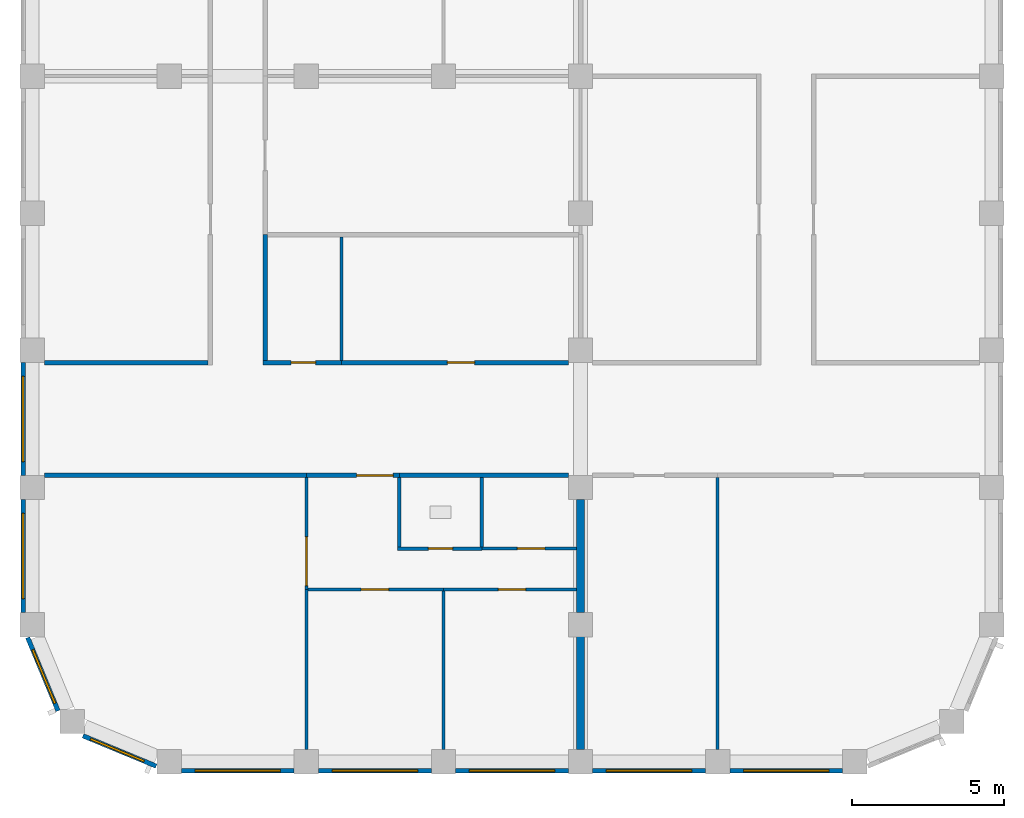
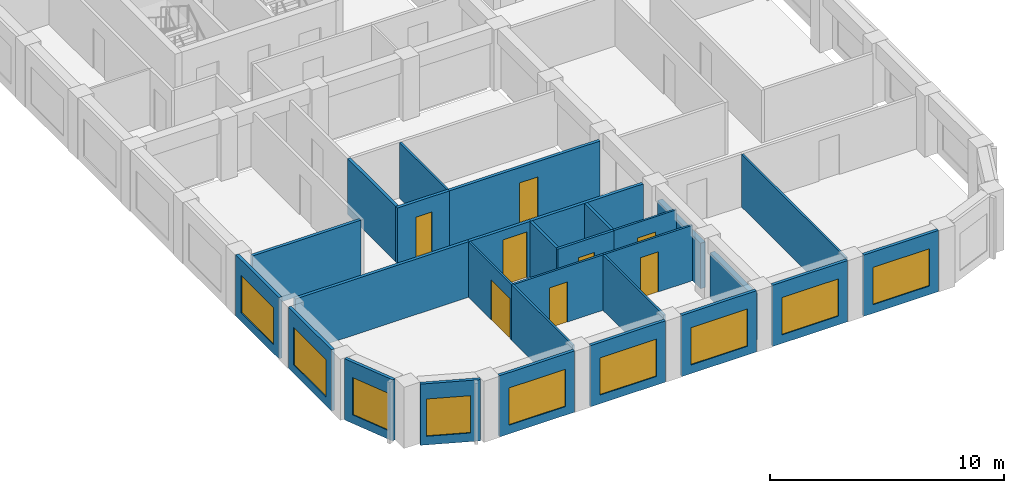
# One storey, part 2 of 9: 29 walls, 9 windows, 8 doors, 17 openings.
"""IFC4 building model written with IfcOpenShell, lengths in metres."""

from ifc_helpers import new_model, si_unit, direction, frame, frame_2d, origin, place, context, subcontext, project, spatial, rectangle, extrude, material, layer, layer_set, type_object, element, fill, save


model = new_model("IFC4")

# Units and contexts
model_context = context("Model", 3, precision=1e-05, world=origin(), true_north=direction((0.0, 1.0)))
body_context = subcontext(model_context, "Body", "Model", "MODEL_VIEW")
ifc_project = project(units=[si_unit("LENGTHUNIT", "METRE"), si_unit("AREAUNIT", "SQUARE_METRE"), si_unit("VOLUMEUNIT", "CUBIC_METRE"), si_unit("PLANEANGLEUNIT", "RADIAN"), si_unit("MASSUNIT", "GRAM", prefix="KILO")], contexts=[model_context])

# Site, building, storey
site_placement = place(None, origin())
site = spatial("IfcSite", under=ifc_project, at=site_placement, CompositionType="ELEMENT")
building_placement = place(site_placement, origin())
building = spatial("IfcBuilding", under=site, at=building_placement, Name="Girih Gate Residences", CompositionType="ELEMENT")
storey_placement = place(building_placement, frame((0.0, 0.0, 185.89990234375)))
storey = spatial("IfcBuildingStorey", under=building, at=storey_placement, Name="L51", CompositionType="ELEMENT", Elevation=185.89990234375)

# Walls
ifc_material_1 = material(Name="Gypsum board on steel studs", Category="steel")
ifc_layer_1 = layer(ifc_material_1, 0.25)
ifc_layer_set_1 = layer_set([ifc_layer_1], Name="Acoustic separating wall 250 mm")
wall_type_1 = type_object("IfcWallType", Name="Acoustic separating wall 250 mm", PredefinedType="PARTITIONING", material=ifc_layer_set_1)
for number, where, z_axis, x_axis, name in (
    (1, (18.0, 4.89990234375, 0.0), (0.0, 0.0, 1.0), (0.0, 1.0, 0.0), "L51 partition"),
    (2, (18.0, 0.39990234375, 0.0), (0.0, 0.0, 1.0), (0.0, 1.0, 0.0), "L51 partition"),
):
    element("IfcWall", number, at=place(storey_placement, frame(where, z_axis=z_axis, x_axis=x_axis)), inside=storey, type_object=wall_type_1, Name=name, PredefinedType="PARTITIONING", context=body_context, shape_type="SweptSolid", body=[
        extrude(rectangle(XDim=3.7001953125, YDim=0.25, at=frame_2d((1.85009765625, 0.0))), origin(), (0.0, 0.0, 1.0), 2.380126953125),
    ])
ifc_layer_2 = layer(ifc_material_1, 0.14990234375)
ifc_layer_set_2 = layer_set([ifc_layer_2], Name="Compartment wall 150 mm")
wall_type_2 = type_object("IfcWallType", Name="Compartment wall 150 mm", PredefinedType="PARTITIONING", material=ifc_layer_set_2)
wall_1_placement = place(storey_placement, frame((12.050048828125, 9.39990234375, 0.0), z_axis=(0.0, 0.0, 1.0), x_axis=(1.0, 0.0, 0.0)))
element("IfcWall", 3, at=wall_1_placement, inside=storey, type_object=wall_type_2, Name="L51 partition", PredefinedType="PARTITIONING", context=body_context, shape_type="SweptSolid", body=[
    extrude(rectangle(XDim=5.550048828125, YDim=0.14990234375, at=frame_2d((2.77490234375, 0.0))), origin(), (0.0, 0.0, 1.0), 2.900146484375),
])

# Wall, opening, door
wall_2_placement = place(storey_placement, frame((12.050048828125, 9.39990234375, 0.0), z_axis=(0.0, 0.0, 1.0), x_axis=(-1.0, 0.0, 0.0)))
wall_2 = element("IfcWall", 4, at=wall_2_placement, inside=storey, type_object=wall_type_2, Name="L51 partition", PredefinedType="PARTITIONING", context=body_context, shape_type="SweptSolid", body=[
    extrude(rectangle(XDim=3.050048828125, YDim=0.14990234375, at=frame_2d((1.52490234375, 0.0))), origin(), (0.0, 0.0, 1.0), 2.900146484375),
])
opening_1_placement = place(wall_2_placement, frame((0.199951171875, 0.0, 0.0)))
opening_1 = element("IfcOpeningElement", 5, at=opening_1_placement, cuts=wall_2, Name="Opening A51-006", PredefinedType="OPENING", context=body_context, shape_type="SweptSolid", body=[
    extrude(rectangle(XDim=1.199951171875, YDim=2.39990234375, at=frame_2d((0.60009765625, 1.199951171875))), frame((0.0, 0.0849609375, 0.0), z_axis=(0.0, -1.0, 0.0), x_axis=(1.0, 0.0, 0.0)), (0.0, 0.0, 1.0), 0.169921875),
])
ifc_material_2 = material(Name="Timber, fire-rated core", Category="wood")
door_type_1 = type_object("IfcDoorType", Name="Villa entrance door 1200x2400 FD30S", OperationType="NOTDEFINED", PredefinedType="DOOR", material=ifc_material_2)
door_1_placement = place(opening_1_placement, origin())
door_1 = element("IfcDoor", 6, at=door_1_placement, inside=storey, type_object=door_type_1, Name="Door A51-006", OperationType="SINGLE_SWING_LEFT", OverallHeight=2.39990234375, OverallWidth=1.199951171875, PredefinedType="DOOR", context=body_context, shape_type="SweptSolid", body=[
    extrude(rectangle(XDim=1.199951171875, YDim=2.39990234375, at=frame_2d((0.60009765625, 1.199951171875))), frame((0.0, 0.02490234375, 0.0), z_axis=(0.0, -1.0, 0.0), x_axis=(1.0, 0.0, 0.0)), (0.0, 0.0, 1.0), 0.050048828125),
])
fill(opening_1, door_1)

# Wall
wall_3_placement = place(storey_placement, frame((0.39990234375, 9.39990234375, 0.0), z_axis=(0.0, 0.0, 1.0), x_axis=(1.0, 0.0, 0.0)))
element("IfcWall", 7, at=wall_3_placement, inside=storey, type_object=wall_type_2, Name="L51 partition", PredefinedType="PARTITIONING", context=body_context, shape_type="SweptSolid", body=[
    extrude(rectangle(XDim=8.60009765625, YDim=0.14990234375, at=frame_2d((4.300048828125, 0.0))), origin(), (0.0, 0.0, 1.0), 2.900146484375),
])

# Wall, opening, door
wall_4_placement = place(storey_placement, frame((10.14990234375, 13.10009765625, 0.0), z_axis=(0.0, 0.0, 1.0), x_axis=(1.0, 0.0, 0.0)))
wall_4 = element("IfcWall", 8, at=wall_4_placement, inside=storey, type_object=wall_type_2, Name="L51 partition", PredefinedType="PARTITIONING", context=body_context, shape_type="SweptSolid", body=[
    extrude(rectangle(XDim=7.4501953125, YDim=0.14990234375, at=frame_2d((3.72509765625, 0.0))), origin(), (0.0, 0.0, 1.0), 2.900146484375),
])
opening_2_placement = place(wall_4_placement, frame((3.47509765625, 0.0, 0.0)))
opening_2 = element("IfcOpeningElement", 9, at=opening_2_placement, cuts=wall_4, Name="Opening A51-020", PredefinedType="OPENING", context=body_context, shape_type="SweptSolid", body=[
    extrude(rectangle(XDim=0.89990234375, YDim=2.10009765625, at=frame_2d((0.449951171875, 1.050048828125))), frame((0.0, 0.0849609375, 0.0), z_axis=(0.0, -1.0, 0.0), x_axis=(1.0, 0.0, 0.0)), (0.0, 0.0, 1.0), 0.169921875),
])
ifc_material_3 = material(Name="Timber", Category="wood")
door_type_2 = type_object("IfcDoorType", Name="Service room door 900x2100", OperationType="NOTDEFINED", PredefinedType="DOOR", material=ifc_material_3)
door_2_placement = place(opening_2_placement, origin())
door_2 = element("IfcDoor", 10, at=door_2_placement, inside=storey, type_object=door_type_2, Name="Door A51-020", OperationType="SINGLE_SWING_RIGHT", OverallHeight=2.10009765625, OverallWidth=0.89990234375, PredefinedType="DOOR", context=body_context, shape_type="SweptSolid", body=[
    extrude(rectangle(XDim=0.89990234375, YDim=2.10009765625, at=frame_2d((0.449951171875, 1.050048828125))), frame((0.0, 0.02490234375, 0.0), z_axis=(0.0, -1.0, 0.0), x_axis=(1.0, 0.0, 0.0)), (0.0, 0.0, 1.0), 0.050048828125),
])
fill(opening_2, door_2)

wall_5_placement = place(storey_placement, frame((7.574951171875, 13.10009765625, 0.0), z_axis=(0.0, 0.0, 1.0), x_axis=(1.0, 0.0, 0.0)))
wall_5 = element("IfcWall", 11, at=wall_5_placement, inside=storey, type_object=wall_type_2, Name="L51 partition", PredefinedType="PARTITIONING", context=body_context, shape_type="SweptSolid", body=[
    extrude(rectangle(XDim=2.574951171875, YDim=0.14990234375, at=frame_2d((1.28759765625, 0.0))), origin(), (0.0, 0.0, 1.0), 2.900146484375),
])
opening_3_placement = place(wall_5_placement, frame((0.925048828125, 0.0, 0.0)))
opening_3 = element("IfcOpeningElement", 12, at=opening_3_placement, cuts=wall_5, Name="Opening A51-021", PredefinedType="OPENING", context=body_context, shape_type="SweptSolid", body=[
    extrude(rectangle(XDim=0.800048828125, YDim=2.10009765625, at=frame_2d((0.39990234375, 1.050048828125))), frame((0.0, 0.0849609375, 0.0), z_axis=(0.0, -1.0, 0.0), x_axis=(1.0, 0.0, 0.0)), (0.0, 0.0, 1.0), 0.169921875),
])
door_type_3 = type_object("IfcDoorType", Name="Bathroom door 800x2100", OperationType="NOTDEFINED", PredefinedType="DOOR", material=ifc_material_3)
door_3_placement = place(opening_3_placement, origin())
door_3 = element("IfcDoor", 13, at=door_3_placement, inside=storey, type_object=door_type_3, Name="Door A51-021", OperationType="SINGLE_SWING_RIGHT", OverallHeight=2.10009765625, OverallWidth=0.800048828125, PredefinedType="DOOR", context=body_context, shape_type="SweptSolid", body=[
    extrude(rectangle(XDim=0.800048828125, YDim=2.10009765625, at=frame_2d((0.39990234375, 1.050048828125))), frame((0.0, 0.02490234375, 0.0), z_axis=(0.0, -1.0, 0.0), x_axis=(1.0, 0.0, 0.0)), (0.0, 0.0, 1.0), 0.050048828125),
])
fill(opening_3, door_3)

# Walls
wall_6_placement = place(storey_placement, frame((0.39990234375, 13.10009765625, 0.0), z_axis=(0.0, 0.0, 1.0), x_axis=(1.0, 0.0, 0.0)))
element("IfcWall", 14, at=wall_6_placement, inside=storey, type_object=wall_type_2, Name="L51 partition", PredefinedType="PARTITIONING", context=body_context, shape_type="SweptSolid", body=[
    extrude(rectangle(XDim=5.375, YDim=0.14990234375, at=frame_2d((2.6875, 0.0))), origin(), (0.0, 0.0, 1.0), 2.900146484375),
])
wall_7_placement = place(storey_placement, frame((7.64990234375, 13.175048828125, 0.0), z_axis=(0.0, 0.0, 1.0), x_axis=(0.0, 1.0, 0.0)))
element("IfcWall", 15, at=wall_7_placement, inside=storey, type_object=wall_type_2, Name="L51 partition", PredefinedType="PARTITIONING", context=body_context, shape_type="SweptSolid", body=[
    extrude(rectangle(XDim=4.125, YDim=0.14990234375, at=frame_2d((2.0625, 0.0))), origin(), (0.0, 0.0, 1.0), 2.900146484375),
])
ifc_layer_3 = layer(ifc_material_1, 0.10009765625)
ifc_layer_set_3 = layer_set([ifc_layer_3], Name="Partition 100 mm")
wall_type_3 = type_object("IfcWallType", Name="Partition 100 mm", PredefinedType="PARTITIONING", material=ifc_layer_set_3)
wall_8_placement = place(storey_placement, frame((13.5, 0.39990234375, 0.0), z_axis=(0.0, 0.0, 1.0), x_axis=(0.0, 1.0, 0.0)))
element("IfcWall", 16, at=wall_8_placement, inside=storey, type_object=wall_type_3, Name="L51 partition", PredefinedType="PARTITIONING", context=body_context, shape_type="SweptSolid", body=[
    extrude(rectangle(XDim=5.2001953125, YDim=0.10009765625, at=frame_2d((2.60009765625, 0.0))), origin(), (0.0, 0.0, 1.0), 2.900146484375),
])

# Wall, opening, door
wall_9_placement = place(storey_placement, frame((13.5, 5.64990234375, 0.0), z_axis=(0.0, 0.0, 1.0), x_axis=(-1.0, 0.0, 0.0)))
wall_9 = element("IfcWall", 17, at=wall_9_placement, inside=storey, type_object=wall_type_3, Name="L51 partition", PredefinedType="PARTITIONING", context=body_context, shape_type="SweptSolid", body=[
    extrude(rectangle(XDim=4.449951171875, YDim=0.10009765625, at=frame_2d((2.22509765625, 0.0))), origin(), (0.0, 0.0, 1.0), 2.900146484375),
])
opening_4_placement = place(wall_9_placement, frame((1.800048828125, 0.0, 0.0)))
opening_4 = element("IfcOpeningElement", 18, at=opening_4_placement, cuts=wall_9, Name="Opening A51-002", PredefinedType="OPENING", context=body_context, shape_type="SweptSolid", body=[
    extrude(rectangle(XDim=0.89990234375, YDim=2.10009765625, at=frame_2d((0.449951171875, 1.050048828125))), frame((0.0, 0.06005859375, 0.0), z_axis=(0.0, -1.0, 0.0), x_axis=(1.0, 0.0, 0.0)), (0.0, 0.0, 1.0), 0.1201171875),
])
door_type_4 = type_object("IfcDoorType", Name="Bedroom door 900x2100", OperationType="NOTDEFINED", PredefinedType="DOOR", material=ifc_material_3)
door_4_placement = place(opening_4_placement, origin())
door_4 = element("IfcDoor", 19, at=door_4_placement, inside=storey, type_object=door_type_4, Name="Door A51-002", OperationType="SINGLE_SWING_RIGHT", OverallHeight=2.10009765625, OverallWidth=0.89990234375, PredefinedType="DOOR", context=body_context, shape_type="SweptSolid", body=[
    extrude(rectangle(XDim=0.89990234375, YDim=2.10009765625, at=frame_2d((0.449951171875, 1.050048828125))), frame((0.0, 0.02490234375, 0.0), z_axis=(0.0, -1.0, 0.0), x_axis=(1.0, 0.0, 0.0)), (0.0, 0.0, 1.0), 0.050048828125),
])
fill(opening_4, door_4)

# Wall
wall_10_placement = place(storey_placement, frame((9.0, 0.39990234375, 0.0), z_axis=(0.0, 0.0, 1.0), x_axis=(0.0, 1.0, 0.0)))
element("IfcWall", 20, at=wall_10_placement, inside=storey, type_object=wall_type_3, Name="L51 partition", PredefinedType="PARTITIONING", context=body_context, shape_type="SweptSolid", body=[
    extrude(rectangle(XDim=5.25, YDim=0.10009765625, at=frame_2d((2.625, 0.0))), origin(), (0.0, 0.0, 1.0), 2.900146484375),
])

# Wall, opening, door
wall_11_placement = place(storey_placement, frame((17.875, 5.64990234375, 0.0), z_axis=(0.0, 0.0, 1.0), x_axis=(-1.0, 0.0, 0.0)))
wall_11 = element("IfcWall", 21, at=wall_11_placement, inside=storey, type_object=wall_type_3, Name="L51 partition", PredefinedType="PARTITIONING", context=body_context, shape_type="SweptSolid", body=[
    extrude(rectangle(XDim=4.375, YDim=0.10009765625, at=frame_2d((2.1875, 0.0))), origin(), (0.0, 0.0, 1.0), 2.900146484375),
])
opening_5_placement = place(wall_11_placement, frame((1.675048828125, 0.0, 0.0)))
opening_5 = element("IfcOpeningElement", 22, at=opening_5_placement, cuts=wall_11, Name="Opening A51-003", PredefinedType="OPENING", context=body_context, shape_type="SweptSolid", body=[
    extrude(rectangle(XDim=0.89990234375, YDim=2.10009765625, at=frame_2d((0.449951171875, 1.050048828125))), frame((0.0, 0.06005859375, 0.0), z_axis=(0.0, -1.0, 0.0), x_axis=(1.0, 0.0, 0.0)), (0.0, 0.0, 1.0), 0.1201171875),
])
door_5_placement = place(opening_5_placement, origin())
door_5 = element("IfcDoor", 23, at=door_5_placement, inside=storey, type_object=door_type_4, Name="Door A51-003", OperationType="SINGLE_SWING_LEFT", OverallHeight=2.10009765625, OverallWidth=0.89990234375, PredefinedType="DOOR", context=body_context, shape_type="SweptSolid", body=[
    extrude(rectangle(XDim=0.89990234375, YDim=2.10009765625, at=frame_2d((0.449951171875, 1.050048828125))), frame((0.0, 0.02490234375, 0.0), z_axis=(0.0, -1.0, 0.0), x_axis=(1.0, 0.0, 0.0)), (0.0, 0.0, 1.0), 0.050048828125),
])
fill(opening_5, door_5)

wall_12_placement = place(storey_placement, frame((14.758544921875, 6.989990234375, 0.0), z_axis=(0.0, 0.0, 1.0), x_axis=(1.0, 0.0, 0.0)))
wall_12 = element("IfcWall", 24, at=wall_12_placement, inside=storey, type_object=wall_type_3, Name="L51 partition", PredefinedType="PARTITIONING", context=body_context, shape_type="SweptSolid", body=[
    extrude(rectangle(XDim=3.116455078125, YDim=0.10009765625, at=frame_2d((1.55810546875, 0.0))), origin(), (0.0, 0.0, 1.0), 2.900146484375),
])
opening_6_placement = place(wall_12_placement, frame((1.170654296875, 0.0, 0.0)))
opening_6 = element("IfcOpeningElement", 25, at=opening_6_placement, cuts=wall_12, Name="Opening A51-004", PredefinedType="OPENING", context=body_context, shape_type="SweptSolid", body=[
    extrude(rectangle(XDim=0.89990234375, YDim=2.10009765625, at=frame_2d((0.449951171875, 1.050048828125))), frame((0.0, 0.06005859375, 0.0), z_axis=(0.0, -1.0, 0.0), x_axis=(1.0, 0.0, 0.0)), (0.0, 0.0, 1.0), 0.1201171875),
])
door_type_5 = type_object("IfcDoorType", Name="Kitchen door 900x2100", OperationType="NOTDEFINED", PredefinedType="DOOR", material=ifc_material_3)
door_6_placement = place(opening_6_placement, origin())
door_6 = element("IfcDoor", 26, at=door_6_placement, inside=storey, type_object=door_type_5, Name="Door A51-004", OperationType="SINGLE_SWING_RIGHT", OverallHeight=2.10009765625, OverallWidth=0.89990234375, PredefinedType="DOOR", context=body_context, shape_type="SweptSolid", body=[
    extrude(rectangle(XDim=0.89990234375, YDim=2.10009765625, at=frame_2d((0.449951171875, 1.050048828125))), frame((0.0, 0.02490234375, 0.0), z_axis=(0.0, -1.0, 0.0), x_axis=(1.0, 0.0, 0.0)), (0.0, 0.0, 1.0), 0.050048828125),
])
fill(opening_6, door_6)

wall_13_placement = place(storey_placement, frame((9.0, 5.64990234375, 0.0), z_axis=(0.0, 0.0, 1.0), x_axis=(0.0, 1.0, 0.0)))
wall_13 = element("IfcWall", 27, at=wall_13_placement, inside=storey, type_object=wall_type_3, Name="L51 partition", PredefinedType="PARTITIONING", context=body_context, shape_type="SweptSolid", body=[
    extrude(rectangle(XDim=3.675048828125, YDim=0.10009765625, at=frame_2d((1.83740234375, 0.0))), origin(), (0.0, 0.0, 1.0), 2.900146484375),
])
opening_7_placement = place(wall_13_placement, frame((0.1298828125, 0.0, 0.0)))
opening_7 = element("IfcOpeningElement", 28, at=opening_7_placement, cuts=wall_13, Name="Opening A51-005", PredefinedType="OPENING", context=body_context, shape_type="SweptSolid", body=[
    extrude(rectangle(XDim=1.60009765625, YDim=2.10009765625, at=frame_2d((0.800048828125, 1.050048828125))), frame((0.0, 0.06005859375, 0.0), z_axis=(0.0, -1.0, 0.0), x_axis=(1.0, 0.0, 0.0)), (0.0, 0.0, 1.0), 0.1201171875),
])
door_type_6 = type_object("IfcDoorType", Name="Double leaf door 1600x2100", OperationType="NOTDEFINED", PredefinedType="DOOR", material=ifc_material_3)
door_7_placement = place(opening_7_placement, origin())
door_7 = element("IfcDoor", 29, at=door_7_placement, inside=storey, type_object=door_type_6, Name="Door A51-005", OperationType="SINGLE_SWING_LEFT", OverallHeight=2.10009765625, OverallWidth=1.60009765625, PredefinedType="DOOR", context=body_context, shape_type="SweptSolid", body=[
    extrude(rectangle(XDim=1.60009765625, YDim=2.10009765625, at=frame_2d((0.800048828125, 1.050048828125))), frame((0.0, 0.02490234375, 0.0), z_axis=(0.0, -1.0, 0.0), x_axis=(1.0, 0.0, 0.0)), (0.0, 0.0, 1.0), 0.050048828125),
])
fill(opening_7, door_7)

# Walls
wall_14_placement = place(storey_placement, frame((22.5, 0.39990234375, 0.0), z_axis=(0.0, 0.0, 1.0), x_axis=(0.0, 1.0, 0.0)))
element("IfcWall", 30, at=wall_14_placement, inside=storey, type_object=wall_type_3, Name="L51 partition", PredefinedType="PARTITIONING", context=body_context, shape_type="SweptSolid", body=[
    extrude(rectangle(XDim=8.925048828125, YDim=0.10009765625, at=frame_2d((4.46240234375, 0.0))), origin(), (0.0, 0.0, 1.0), 2.75),
])
wall_15_placement = place(storey_placement, frame((10.14990234375, 13.175048828125, 0.0), z_axis=(0.0, 0.0, 1.0), x_axis=(0.0, 1.0, 0.0)))
element("IfcWall", 31, at=wall_15_placement, inside=storey, type_object=wall_type_3, Name="L51 partition", PredefinedType="PARTITIONING", context=body_context, shape_type="SweptSolid", body=[
    extrude(rectangle(XDim=4.050048828125, YDim=0.10009765625, at=frame_2d((2.02490234375, 0.0))), origin(), (0.0, 0.0, 1.0), 2.900146484375),
])

# Wall, opening, window
ifc_material_4 = material(Name="Precast concrete C50/60", Category="concrete")
ifc_layer_4 = layer(ifc_material_4, 0.050048828125, Name="Outer leaf")
ifc_material_5 = material(Name="Rigid PIR insulation")
ifc_layer_5 = layer(ifc_material_5, 0.06005859375, Name="Insulation")
ifc_material_6 = material(Name="Precast concrete C40/50", Category="concrete")
ifc_layer_6 = layer(ifc_material_6, 0.0400390625, Name="Inner leaf")
ifc_layer_set_4 = layer_set([ifc_layer_4, ifc_layer_5, ifc_layer_6], Name="Precast concrete C50/60 external wall 150")
wall_type_4 = type_object("IfcWallType", Name="Precast concrete C50/60 external wall 150", PredefinedType="SOLIDWALL", material=ifc_layer_set_4)
wall_16_placement = place(storey_placement, frame((-0.300048828125, 9.39990234375, 0.0), z_axis=(0.0, 0.0, 1.0), x_axis=(0.0, 1.0, 0.0)))
wall_16 = element("IfcWall", 32, at=wall_16_placement, inside=storey, type_object=wall_type_4, Name="External wall W0000_0450.7", PredefinedType="SOLIDWALL", context=body_context, shape_type="SweptSolid", body=[
    extrude(rectangle(XDim=3.7001953125, YDim=0.14990234375, at=frame_2d((1.85009765625, 0.0))), origin(), (0.0, 0.0, 1.0), 3.2001953125),
])
opening_8_placement = place(wall_16_placement, frame((0.449951171875, 0.0, 0.449951171875)))
opening_8 = element("IfcOpeningElement", 33, at=opening_8_placement, cuts=wall_16, Name="Opening W-1B", PredefinedType="OPENING", context=body_context, shape_type="SweptSolid", body=[
    extrude(rectangle(XDim=2.800048828125, YDim=1.949951171875, at=frame_2d((1.39990234375, 0.97509765625))), frame((0.0, 0.0849609375, 0.0), z_axis=(0.0, -1.0, 0.0), x_axis=(1.0, 0.0, 0.0)), (0.0, 0.0, 1.0), 0.169921875),
])
ifc_material_7 = material(Name="Double glazing in aluminium frame", Category="aluminium")
window_type_1 = type_object("IfcWindowType", Name="Window W-1B 2800x1950", PartitioningType="SINGLE_PANEL", PredefinedType="WINDOW", material=ifc_material_7)
window_1_placement = place(opening_8_placement, origin())
window_1 = element("IfcWindow", 34, at=window_1_placement, inside=storey, type_object=window_type_1, Name="Window W-1B W0000_0450.7", OverallHeight=1.949951171875, OverallWidth=2.800048828125, PartitioningType="SINGLE_PANEL", PredefinedType="WINDOW", context=body_context, shape_type="SweptSolid", body=[
    extrude(rectangle(XDim=2.800048828125, YDim=1.949951171875, at=frame_2d((1.39990234375, 0.97509765625))), frame((0.0, 0.030029296875, 0.0), z_axis=(0.0, -1.0, 0.0), x_axis=(1.0, 0.0, 0.0)), (0.0, 0.0, 1.0), 0.06005859375),
])
fill(opening_8, window_1)

wall_17_placement = place(storey_placement, frame((-0.300048828125, 4.89990234375, 0.0), z_axis=(0.0, 0.0, 1.0), x_axis=(0.0, 1.0, 0.0)))
wall_17 = element("IfcWall", 35, at=wall_17_placement, inside=storey, type_object=wall_type_4, Name="External wall W0000_0450.8", PredefinedType="SOLIDWALL", context=body_context, shape_type="SweptSolid", body=[
    extrude(rectangle(XDim=3.7001953125, YDim=0.14990234375, at=frame_2d((1.85009765625, 0.0))), origin(), (0.0, 0.0, 1.0), 3.2001953125),
])
opening_9_placement = place(wall_17_placement, frame((0.449951171875, 0.0, 0.449951171875)))
opening_9 = element("IfcOpeningElement", 36, at=opening_9_placement, cuts=wall_17, Name="Opening W-1B", PredefinedType="OPENING", context=body_context, shape_type="SweptSolid", body=[
    extrude(rectangle(XDim=2.800048828125, YDim=1.949951171875, at=frame_2d((1.39990234375, 0.97509765625))), frame((0.0, 0.0849609375, 0.0), z_axis=(0.0, -1.0, 0.0), x_axis=(1.0, 0.0, 0.0)), (0.0, 0.0, 1.0), 0.169921875),
])
window_2_placement = place(opening_9_placement, origin())
window_2 = element("IfcWindow", 37, at=window_2_placement, inside=storey, type_object=window_type_1, Name="Window W-1B W0000_0450.8", OverallHeight=1.949951171875, OverallWidth=2.800048828125, PartitioningType="SINGLE_PANEL", PredefinedType="WINDOW", context=body_context, shape_type="SweptSolid", body=[
    extrude(rectangle(XDim=2.800048828125, YDim=1.949951171875, at=frame_2d((1.39990234375, 0.97509765625))), frame((0.0, 0.030029296875, 0.0), z_axis=(0.0, -1.0, 0.0), x_axis=(1.0, 0.0, 0.0)), (0.0, 0.0, 1.0), 0.06005859375),
])
fill(opening_9, window_2)

wall_18_placement = place(storey_placement, frame((0.8486328125, 1.6669921875, 0.0), z_axis=(0.0, 0.0, 1.0), x_axis=(-0.382669406082, 0.923885342263, 0.0)))
wall_18 = element("IfcWall", 38, at=wall_18_placement, inside=storey, type_object=wall_type_4, Name="External wall SW0000_0045.0", PredefinedType="SOLIDWALL", context=body_context, shape_type="SweptSolid", body=[
    extrude(rectangle(XDim=2.602294921875, YDim=0.14990234375, at=frame_2d((1.30126953125, 0.0))), origin(), (0.0, 0.0, 1.0), 3.2001953125),
])
opening_10_placement = place(wall_18_placement, frame((0.27001953125, 0.0, 0.449951171875)))
opening_10 = element("IfcOpeningElement", 39, at=opening_10_placement, cuts=wall_18, Name="Opening W-2G", PredefinedType="OPENING", context=body_context, shape_type="SweptSolid", body=[
    extrude(rectangle(XDim=1.89990234375, YDim=1.949951171875, at=frame_2d((0.949951171875, 0.97509765625))), frame((0.0, 0.0849609375, 0.0), z_axis=(0.0, -1.0, 0.0), x_axis=(1.0, 0.0, 0.0)), (0.0, 0.0, 1.0), 0.169921875),
])
window_type_2 = type_object("IfcWindowType", Name="Window W-2G 1900x1950", PartitioningType="SINGLE_PANEL", PredefinedType="WINDOW", material=ifc_material_7)
window_3_placement = place(opening_10_placement, origin())
window_3 = element("IfcWindow", 40, at=window_3_placement, inside=storey, type_object=window_type_2, Name="Window W-2G SW0000_0045.0", OverallHeight=1.949951171875, OverallWidth=1.89990234375, PartitioningType="SINGLE_PANEL", PredefinedType="WINDOW", context=body_context, shape_type="SweptSolid", body=[
    extrude(rectangle(XDim=1.89990234375, YDim=1.949951171875, at=frame_2d((0.949951171875, 0.97509765625))), frame((0.0, 0.030029296875, 0.0), z_axis=(0.0, -1.0, 0.0), x_axis=(1.0, 0.0, 0.0)), (0.0, 0.0, 1.0), 0.06005859375),
])
fill(opening_10, window_3)

wall_19_placement = place(storey_placement, frame((4.0712890625, -0.147216796875, 0.0), z_axis=(0.0, 0.0, 1.0), x_axis=(-0.923885342263, 0.382669406082, 0.0)))
wall_19 = element("IfcWall", 41, at=wall_19_placement, inside=storey, type_object=wall_type_4, Name="External wall SW0013_0013.0", PredefinedType="SOLIDWALL", context=body_context, shape_type="SweptSolid", body=[
    extrude(rectangle(XDim=2.602294921875, YDim=0.14990234375, at=frame_2d((1.30126953125, 0.0))), origin(), (0.0, 0.0, 1.0), 3.2001953125),
])
opening_11_placement = place(wall_19_placement, frame((0.432373046875, 0.0, 0.449951171875)))
opening_11 = element("IfcOpeningElement", 42, at=opening_11_placement, cuts=wall_19, Name="Opening W-2G", PredefinedType="OPENING", context=body_context, shape_type="SweptSolid", body=[
    extrude(rectangle(XDim=1.89990234375, YDim=1.949951171875, at=frame_2d((0.949951171875, 0.97509765625))), frame((0.0, 0.0849609375, 0.0), z_axis=(0.0, -1.0, 0.0), x_axis=(1.0, 0.0, 0.0)), (0.0, 0.0, 1.0), 0.169921875),
])
window_4_placement = place(opening_11_placement, origin())
window_4 = element("IfcWindow", 43, at=window_4_placement, inside=storey, type_object=window_type_2, Name="Window W-2G SW0013_0013.0", OverallHeight=1.949951171875, OverallWidth=1.89990234375, PartitioningType="SINGLE_PANEL", PredefinedType="WINDOW", context=body_context, shape_type="SweptSolid", body=[
    extrude(rectangle(XDim=1.89990234375, YDim=1.949951171875, at=frame_2d((0.949951171875, 0.97509765625))), frame((0.0, 0.030029296875, 0.0), z_axis=(0.0, -1.0, 0.0), x_axis=(1.0, 0.0, 0.0)), (0.0, 0.0, 1.0), 0.06005859375),
])
fill(opening_11, window_4)

wall_20_placement = place(storey_placement, frame((8.60009765625, -0.300048828125, 0.0), z_axis=(0.0, 0.0, 1.0), x_axis=(-1.0, 0.0, 0.0)))
wall_20 = element("IfcWall", 44, at=wall_20_placement, inside=storey, type_object=wall_type_4, Name="External wall S0045_0000.0", PredefinedType="SOLIDWALL", context=body_context, shape_type="SweptSolid", body=[
    extrude(rectangle(XDim=3.7001953125, YDim=0.14990234375, at=frame_2d((1.85009765625, 0.0))), origin(), (0.0, 0.0, 1.0), 3.2001953125),
])
opening_12_placement = place(wall_20_placement, frame((0.449951171875, 0.0, 0.449951171875)))
opening_12 = element("IfcOpeningElement", 45, at=opening_12_placement, cuts=wall_20, Name="Opening W-1B", PredefinedType="OPENING", context=body_context, shape_type="SweptSolid", body=[
    extrude(rectangle(XDim=2.800048828125, YDim=1.949951171875, at=frame_2d((1.39990234375, 0.97509765625))), frame((0.0, 0.0849609375, 0.0), z_axis=(0.0, -1.0, 0.0), x_axis=(1.0, 0.0, 0.0)), (0.0, 0.0, 1.0), 0.169921875),
])
window_5_placement = place(opening_12_placement, origin())
window_5 = element("IfcWindow", 46, at=window_5_placement, inside=storey, type_object=window_type_1, Name="Window W-1B S0045_0000.0", OverallHeight=1.949951171875, OverallWidth=2.800048828125, PartitioningType="SINGLE_PANEL", PredefinedType="WINDOW", context=body_context, shape_type="SweptSolid", body=[
    extrude(rectangle(XDim=2.800048828125, YDim=1.949951171875, at=frame_2d((1.39990234375, 0.97509765625))), frame((0.0, 0.030029296875, 0.0), z_axis=(0.0, -1.0, 0.0), x_axis=(1.0, 0.0, 0.0)), (0.0, 0.0, 1.0), 0.06005859375),
])
fill(opening_12, window_5)

wall_21_placement = place(storey_placement, frame((13.10009765625, -0.300048828125, 0.0), z_axis=(0.0, 0.0, 1.0), x_axis=(-1.0, 0.0, 0.0)))
wall_21 = element("IfcWall", 47, at=wall_21_placement, inside=storey, type_object=wall_type_4, Name="External wall S0045_0000.1", PredefinedType="SOLIDWALL", context=body_context, shape_type="SweptSolid", body=[
    extrude(rectangle(XDim=3.7001953125, YDim=0.14990234375, at=frame_2d((1.85009765625, 0.0))), origin(), (0.0, 0.0, 1.0), 3.2001953125),
])
opening_13_placement = place(wall_21_placement, frame((0.449951171875, 0.0, 0.449951171875)))
opening_13 = element("IfcOpeningElement", 48, at=opening_13_placement, cuts=wall_21, Name="Opening W-1B", PredefinedType="OPENING", context=body_context, shape_type="SweptSolid", body=[
    extrude(rectangle(XDim=2.800048828125, YDim=1.949951171875, at=frame_2d((1.39990234375, 0.97509765625))), frame((0.0, 0.0849609375, 0.0), z_axis=(0.0, -1.0, 0.0), x_axis=(1.0, 0.0, 0.0)), (0.0, 0.0, 1.0), 0.169921875),
])
window_6_placement = place(opening_13_placement, origin())
window_6 = element("IfcWindow", 49, at=window_6_placement, inside=storey, type_object=window_type_1, Name="Window W-1B S0045_0000.1", OverallHeight=1.949951171875, OverallWidth=2.800048828125, PartitioningType="SINGLE_PANEL", PredefinedType="WINDOW", context=body_context, shape_type="SweptSolid", body=[
    extrude(rectangle(XDim=2.800048828125, YDim=1.949951171875, at=frame_2d((1.39990234375, 0.97509765625))), frame((0.0, 0.030029296875, 0.0), z_axis=(0.0, -1.0, 0.0), x_axis=(1.0, 0.0, 0.0)), (0.0, 0.0, 1.0), 0.06005859375),
])
fill(opening_13, window_6)

wall_22_placement = place(storey_placement, frame((17.60009765625, -0.300048828125, 0.0), z_axis=(0.0, 0.0, 1.0), x_axis=(-1.0, 0.0, 0.0)))
wall_22 = element("IfcWall", 50, at=wall_22_placement, inside=storey, type_object=wall_type_4, Name="External wall S0045_0000.2", PredefinedType="SOLIDWALL", context=body_context, shape_type="SweptSolid", body=[
    extrude(rectangle(XDim=3.7001953125, YDim=0.14990234375, at=frame_2d((1.85009765625, 0.0))), origin(), (0.0, 0.0, 1.0), 3.2001953125),
])
opening_14_placement = place(wall_22_placement, frame((0.449951171875, 0.0, 0.449951171875)))
opening_14 = element("IfcOpeningElement", 51, at=opening_14_placement, cuts=wall_22, Name="Opening W-1B", PredefinedType="OPENING", context=body_context, shape_type="SweptSolid", body=[
    extrude(rectangle(XDim=2.800048828125, YDim=1.949951171875, at=frame_2d((1.39990234375, 0.97509765625))), frame((0.0, 0.0849609375, 0.0), z_axis=(0.0, -1.0, 0.0), x_axis=(1.0, 0.0, 0.0)), (0.0, 0.0, 1.0), 0.169921875),
])
window_7_placement = place(opening_14_placement, origin())
window_7 = element("IfcWindow", 52, at=window_7_placement, inside=storey, type_object=window_type_1, Name="Window W-1B S0045_0000.2", OverallHeight=1.949951171875, OverallWidth=2.800048828125, PartitioningType="SINGLE_PANEL", PredefinedType="WINDOW", context=body_context, shape_type="SweptSolid", body=[
    extrude(rectangle(XDim=2.800048828125, YDim=1.949951171875, at=frame_2d((1.39990234375, 0.97509765625))), frame((0.0, 0.030029296875, 0.0), z_axis=(0.0, -1.0, 0.0), x_axis=(1.0, 0.0, 0.0)), (0.0, 0.0, 1.0), 0.06005859375),
])
fill(opening_14, window_7)

wall_23_placement = place(storey_placement, frame((22.10009765625, -0.300048828125, 0.0), z_axis=(0.0, 0.0, 1.0), x_axis=(-1.0, 0.0, 0.0)))
wall_23 = element("IfcWall", 53, at=wall_23_placement, inside=storey, type_object=wall_type_4, Name="External wall S0045_0000.3", PredefinedType="SOLIDWALL", context=body_context, shape_type="SweptSolid", body=[
    extrude(rectangle(XDim=3.7001953125, YDim=0.14990234375, at=frame_2d((1.85009765625, 0.0))), origin(), (0.0, 0.0, 1.0), 3.2001953125),
])
opening_15_placement = place(wall_23_placement, frame((0.449951171875, 0.0, 0.449951171875)))
opening_15 = element("IfcOpeningElement", 54, at=opening_15_placement, cuts=wall_23, Name="Opening W-1B", PredefinedType="OPENING", context=body_context, shape_type="SweptSolid", body=[
    extrude(rectangle(XDim=2.800048828125, YDim=1.949951171875, at=frame_2d((1.39990234375, 0.97509765625))), frame((0.0, 0.0849609375, 0.0), z_axis=(0.0, -1.0, 0.0), x_axis=(1.0, 0.0, 0.0)), (0.0, 0.0, 1.0), 0.169921875),
])
window_8_placement = place(opening_15_placement, origin())
window_8 = element("IfcWindow", 55, at=window_8_placement, inside=storey, type_object=window_type_1, Name="Window W-1B S0045_0000.3", OverallHeight=1.949951171875, OverallWidth=2.800048828125, PartitioningType="SINGLE_PANEL", PredefinedType="WINDOW", context=body_context, shape_type="SweptSolid", body=[
    extrude(rectangle(XDim=2.800048828125, YDim=1.949951171875, at=frame_2d((1.39990234375, 0.97509765625))), frame((0.0, 0.030029296875, 0.0), z_axis=(0.0, -1.0, 0.0), x_axis=(1.0, 0.0, 0.0)), (0.0, 0.0, 1.0), 0.06005859375),
])
fill(opening_15, window_8)

wall_24_placement = place(storey_placement, frame((26.60009765625, -0.300048828125, 0.0), z_axis=(0.0, 0.0, 1.0), x_axis=(-1.0, 0.0, 0.0)))
wall_24 = element("IfcWall", 56, at=wall_24_placement, inside=storey, type_object=wall_type_4, Name="External wall S0045_0000.4", PredefinedType="SOLIDWALL", context=body_context, shape_type="SweptSolid", body=[
    extrude(rectangle(XDim=3.7001953125, YDim=0.14990234375, at=frame_2d((1.85009765625, 0.0))), origin(), (0.0, 0.0, 1.0), 3.2001953125),
])
opening_16_placement = place(wall_24_placement, frame((0.449951171875, 0.0, 0.449951171875)))
opening_16 = element("IfcOpeningElement", 57, at=opening_16_placement, cuts=wall_24, Name="Opening W-1B", PredefinedType="OPENING", context=body_context, shape_type="SweptSolid", body=[
    extrude(rectangle(XDim=2.800048828125, YDim=1.949951171875, at=frame_2d((1.39990234375, 0.97509765625))), frame((0.0, 0.0849609375, 0.0), z_axis=(0.0, -1.0, 0.0), x_axis=(1.0, 0.0, 0.0)), (0.0, 0.0, 1.0), 0.169921875),
])
window_9_placement = place(opening_16_placement, origin())
window_9 = element("IfcWindow", 58, at=window_9_placement, inside=storey, type_object=window_type_1, Name="Window W-1B S0045_0000.4", OverallHeight=1.949951171875, OverallWidth=2.800048828125, PartitioningType="SINGLE_PANEL", PredefinedType="WINDOW", context=body_context, shape_type="SweptSolid", body=[
    extrude(rectangle(XDim=2.800048828125, YDim=1.949951171875, at=frame_2d((1.39990234375, 0.97509765625))), frame((0.0, 0.030029296875, 0.0), z_axis=(0.0, -1.0, 0.0), x_axis=(1.0, 0.0, 0.0)), (0.0, 0.0, 1.0), 0.06005859375),
])
fill(opening_16, window_9)

# Wall, opening, door
ifc_layer_7 = layer(ifc_material_1, 0.125)
ifc_layer_set_5 = layer_set([ifc_layer_7], Name="Wet room wall 125 mm")
wall_type_5 = type_object("IfcWallType", Name="Wet room wall 125 mm", PredefinedType="PARTITIONING", material=ifc_layer_set_5)
wall_25_placement = place(storey_placement, frame((11.987548828125, 6.989990234375, 0.0), z_axis=(0.0, 0.0, 1.0), x_axis=(1.0, 0.0, 0.0)))
wall_25 = element("IfcWall", 59, at=wall_25_placement, inside=storey, type_object=wall_type_5, Name="L51 partition", PredefinedType="PARTITIONING", context=body_context, shape_type="SweptSolid", body=[
    extrude(rectangle(XDim=2.77099609375, YDim=0.125, at=frame_2d((1.385498046875, 0.0))), origin(), (0.0, 0.0, 1.0), 2.900146484375),
])
opening_17_placement = place(wall_25_placement, frame((1.016845703125, 0.0, 0.0)))
opening_17 = element("IfcOpeningElement", 60, at=opening_17_placement, cuts=wall_25, Name="Opening A51-001", PredefinedType="OPENING", context=body_context, shape_type="SweptSolid", body=[
    extrude(rectangle(XDim=0.800048828125, YDim=2.10009765625, at=frame_2d((0.39990234375, 1.050048828125))), frame((0.0, 0.072509765625, 0.0), z_axis=(0.0, -1.0, 0.0), x_axis=(1.0, 0.0, 0.0)), (0.0, 0.0, 1.0), 0.14501953125),
])
door_8_placement = place(opening_17_placement, origin())
door_8 = element("IfcDoor", 61, at=door_8_placement, inside=storey, type_object=door_type_3, Name="Door A51-001", OperationType="SINGLE_SWING_RIGHT", OverallHeight=2.10009765625, OverallWidth=0.800048828125, PredefinedType="DOOR", context=body_context, shape_type="SweptSolid", body=[
    extrude(rectangle(XDim=0.800048828125, YDim=2.10009765625, at=frame_2d((0.39990234375, 1.050048828125))), frame((0.0, 0.02490234375, 0.0), z_axis=(0.0, -1.0, 0.0), x_axis=(1.0, 0.0, 0.0)), (0.0, 0.0, 1.0), 0.050048828125),
])
fill(opening_17, door_8)

# Walls
for number, where, z_axis, x_axis, name in (
    (62, (12.050048828125, 7.052490234375, 0.0), (0.0, 0.0, 1.0), (0.0, 1.0, 0.0), "L51 partition"),
    (63, (14.759033203125, 7.052490234375, 0.0), (0.0, 0.0, 1.0), (0.0, 1.0, 0.0), "L51 partition"),
):
    element("IfcWall", number, at=place(storey_placement, frame(where, z_axis=z_axis, x_axis=x_axis)), inside=storey, type_object=wall_type_5, Name=name, PredefinedType="PARTITIONING", context=body_context, shape_type="SweptSolid", body=[
        extrude(rectangle(XDim=2.2724609375, YDim=0.125, at=frame_2d((1.13623046875, 0.0))), origin(), (0.0, 0.0, 1.0), 2.900146484375),
    ])

save(model, "model.ifc")
